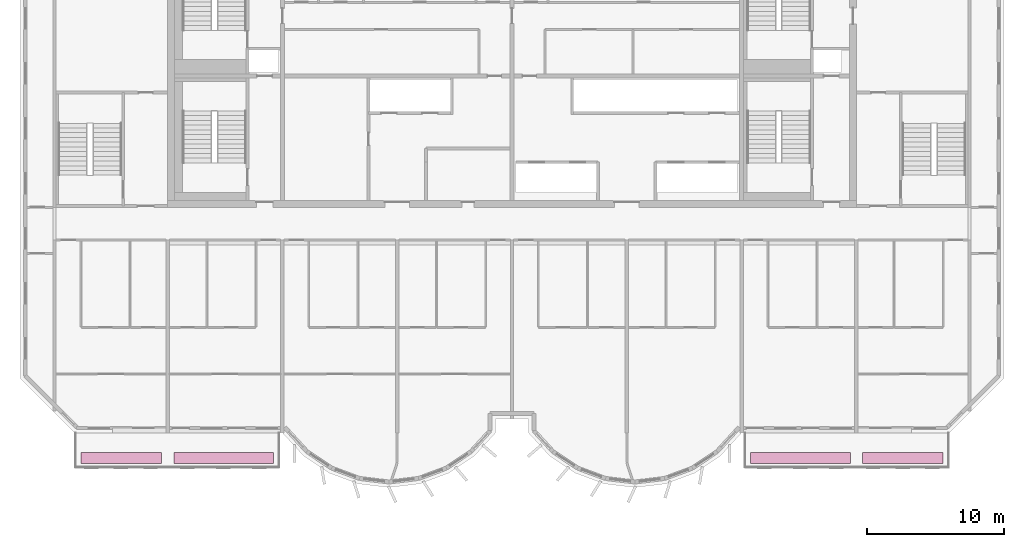
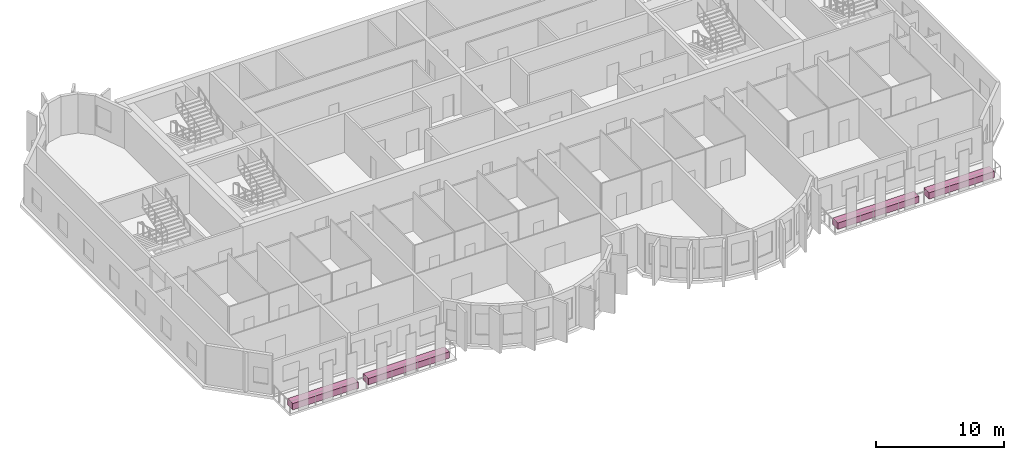
# One storey, part 12 of 12: 4 furniture elements.
"""IFC4 building model written with IfcOpenShell, lengths in metres."""

from ifc_helpers import new_model, si_unit, direction, frame, origin, origin_2d, place, context, subcontext, project, spatial, rectangle, extrude, source, transform, mapped, material, type_object, element, save


model = new_model("IFC4")

# Units and contexts
model_context = context("Model", 3, precision=1e-05, world=origin(), true_north=direction((0.0, 1.0)))
body_context = subcontext(model_context, "Body", "Model", "MODEL_VIEW")
ifc_project = project(units=[si_unit("LENGTHUNIT", "METRE"), si_unit("AREAUNIT", "SQUARE_METRE"), si_unit("VOLUMEUNIT", "CUBIC_METRE"), si_unit("PLANEANGLEUNIT", "RADIAN"), si_unit("MASSUNIT", "GRAM", prefix="KILO")], contexts=[model_context])

# Site, building, storey
site_placement = place(None, origin())
site = spatial("IfcSite", under=ifc_project, at=site_placement, CompositionType="ELEMENT")
building_placement = place(site_placement, origin())
building = spatial("IfcBuilding", under=site, at=building_placement, Name="Vanashikhar Sky Hotel", CompositionType="ELEMENT")
storey_placement = place(building_placement, frame((0.0, 0.0, 281.699951171875)))
storey = spatial("IfcBuildingStorey", under=building, at=storey_placement, Name="L67", CompositionType="ELEMENT", Elevation=281.699951171875)

# Furniture
ifc_material = material(Name="Planting soil and shrubs")
furniture_type = type_object("IfcFurnitureType", Name="Planter trough", AssemblyPlace="NOTDEFINED", PredefinedType="USERDEFINED", material=ifc_material)
shared_shape_1 = source(origin(), body_context, "Body", "SweptSolid", [
    extrude(rectangle(XDim=7.300048828125, YDim=0.800048828125, at=origin_2d()), origin(), (0.0, 0.0, 1.0), 0.60009765625),
])
for number, where, z_axis, x_axis, name in (
    (1, (29.300048828125, 3.64990234375, -0.050048828125), (0.0, 0.0, 1.0), (1.0, 0.0, 0.0), "PLANTER with climbers"),
    (2, (71.5, 3.64990234375, -0.050048828125), (0.0, 0.0, 1.0), (1.0, 0.0, 0.0), "PLANTER with climbers"),
):
    element("IfcFurniture", number, at=place(storey_placement, frame(where, z_axis=z_axis, x_axis=x_axis)), inside=storey, type_object=furniture_type, Name=name, ObjectType="PLANTER", PredefinedType="USERDEFINED", context=body_context, shape_type="MappedRepresentation", body=[
        mapped(shared_shape_1, transform((0.0, 0.0, 0.0), scale=1.0)),
    ])
shared_shape_2 = source(origin(), body_context, "Body", "SweptSolid", [
    extrude(rectangle(XDim=5.89990234375, YDim=0.800048828125, at=origin_2d()), origin(), (0.0, 0.0, 1.0), 0.60009765625),
])
for number, where, z_axis, x_axis, name in (
    (3, (21.800048828125, 3.64990234375, -0.050048828125), (0.0, 0.0, 1.0), (1.0, 0.0, 0.0), "PLANTER with climbers"),
    (4, (79.0, 3.64990234375, -0.050048828125), (0.0, 0.0, 1.0), (1.0, 0.0, 0.0), "PLANTER with climbers"),
):
    element("IfcFurniture", number, at=place(storey_placement, frame(where, z_axis=z_axis, x_axis=x_axis)), inside=storey, type_object=furniture_type, Name=name, ObjectType="PLANTER", PredefinedType="USERDEFINED", context=body_context, shape_type="MappedRepresentation", body=[
        mapped(shared_shape_2, transform((0.0, 0.0, 0.0), scale=1.0)),
    ])

save(model, "model.ifc")
